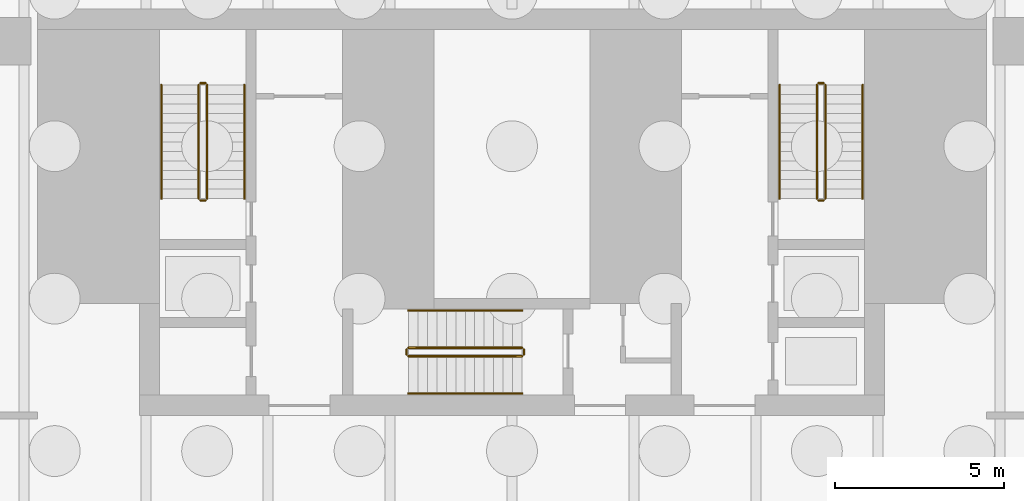
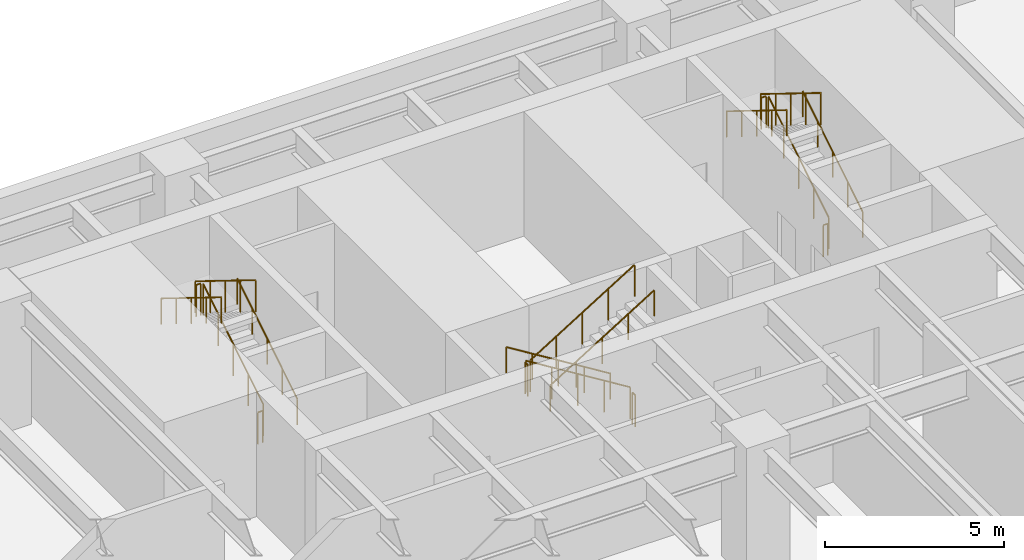
# One storey, part 17 of 18: 18 railings.
"""IFC4 building model written with IfcOpenShell, lengths in metres."""

from ifc_helpers import new_model, si_unit, direction, frame, origin, origin_2d, place, context, subcontext, project, spatial, circle, extrude, material, type_object, element, save


model = new_model("IFC4")

# Units and contexts
model_context = context("Model", 3, precision=1e-05, world=origin(), true_north=direction((0.0, 1.0)))
body_context = subcontext(model_context, "Body", "Model", "MODEL_VIEW")
ifc_project = project(units=[si_unit("LENGTHUNIT", "METRE"), si_unit("AREAUNIT", "SQUARE_METRE"), si_unit("VOLUMEUNIT", "CUBIC_METRE"), si_unit("PLANEANGLEUNIT", "RADIAN"), si_unit("MASSUNIT", "GRAM", prefix="KILO")], contexts=[model_context])

# Site, building, storey
site_placement = place(None, origin())
site = spatial("IfcSite", under=ifc_project, at=site_placement, CompositionType="ELEMENT")
building_placement = place(site_placement, origin())
building = spatial("IfcBuilding", under=site, at=building_placement, Name="Aloe Facet Convention Tower", CompositionType="ELEMENT")
storey_placement = place(building_placement, frame((0.0, 0.0, -9.0)))
storey = spatial("IfcBuildingStorey", under=building, at=storey_placement, Name="B2", CompositionType="ELEMENT", Elevation=-9.0)

# Railings
ifc_material_1 = material(Name="Steel S355 balustrade", Category="steel")
railing_type_1 = type_object("IfcRailingType", Name="CR-RL-GUARD", PredefinedType="GUARDRAIL", material=ifc_material_1)
railing_1_placement = place(storey_placement, frame((71.0, 128.949951171875, 0.173095703125)))
element("IfcRailing", 1, at=railing_1_placement, inside=storey, type_object=railing_type_1, Name="B2 ST1 stair guard 1", PredefinedType="GUARDRAIL", context=body_context, shape_type="SweptSolid", body=[
    extrude(circle(Radius=0.02392578125, at=origin_2d()), frame((0.0, 0.0, 1.076171875), z_axis=(0.0, 0.850623216509, 0.525775754039), x_axis=(-1.0, 0.0, 0.0)), (0.0, 0.0, 1.0), 3.9501953125),
    extrude(circle(Radius=0.02099609375, at=origin_2d()), origin(), (0.0, 0.0, 1.0), 1.052001953125),
    extrude(circle(Radius=0.02099609375, at=origin_2d()), frame((0.0, 0.840087890625, 0.519287109375)), (0.0, 0.0, 1.0), 1.052001953125),
    extrude(circle(Radius=0.02099609375, at=origin_2d()), frame((0.0, 1.68017578125, 1.03857421875)), (0.0, 0.0, 1.0), 1.052001953125),
    extrude(circle(Radius=0.02099609375, at=origin_2d()), frame((0.0, 2.52001953125, 1.5576171875)), (0.0, 0.0, 1.0), 1.052001953125),
    extrude(circle(Radius=0.02099609375, at=origin_2d()), frame((0.0, 3.360107421875, 2.076904296875)), (0.0, 0.0, 1.0), 1.052001953125),
])
railing_2_placement = place(storey_placement, frame((70.949951171875, 132.360107421875, 2.25)))
element("IfcRailing", 2, at=railing_2_placement, inside=storey, type_object=railing_type_1, Name="B2 ST1 stair guard 2", PredefinedType="GUARDRAIL", context=body_context, shape_type="SweptSolid", body=[
    extrude(circle(Radius=0.02392578125, at=origin_2d()), frame((0.0, 0.0, 1.076171875), z_axis=(-1.0, 0.0, 0.0), x_axis=(0.0, -1.0, 0.0)), (0.0, 0.0, 1.0), 0.14990234375),
    extrude(circle(Radius=0.02099609375, at=origin_2d()), origin(), (0.0, 0.0, 1.0), 1.052001953125),
    extrude(circle(Radius=0.02099609375, at=origin_2d()), frame((-0.14990234375, 0.0, 0.0)), (0.0, 0.0, 1.0), 1.052001953125),
])
railing_3_placement = place(storey_placement, frame((70.75, 132.31005859375, 2.423095703125)))
element("IfcRailing", 3, at=railing_3_placement, inside=storey, type_object=railing_type_1, Name="B2 ST1 stair guard 3", PredefinedType="GUARDRAIL", context=body_context, shape_type="SweptSolid", body=[
    extrude(circle(Radius=0.02392578125, at=origin_2d()), frame((0.0, 0.0, 1.076171875), z_axis=(0.0, -0.850623216509, 0.525775754039), x_axis=(1.0, 0.0, 0.0)), (0.0, 0.0, 1.0), 3.9501953125),
    extrude(circle(Radius=0.02099609375, at=origin_2d()), origin(), (0.0, 0.0, 1.0), 1.052001953125),
    extrude(circle(Radius=0.02099609375, at=origin_2d()), frame((0.0, -0.840087890625, 0.519287109375)), (0.0, 0.0, 1.0), 1.052001953125),
    extrude(circle(Radius=0.02099609375, at=origin_2d()), frame((0.0, -1.68017578125, 1.03857421875)), (0.0, 0.0, 1.0), 1.052001953125),
    extrude(circle(Radius=0.02099609375, at=origin_2d()), frame((0.0, -2.52001953125, 1.5576171875)), (0.0, 0.0, 1.0), 1.052001953125),
    extrude(circle(Radius=0.02099609375, at=origin_2d()), frame((0.0, -3.360107421875, 2.076904296875)), (0.0, 0.0, 1.0), 1.052001953125),
])
railing_4_placement = place(storey_placement, frame((70.949951171875, 128.89990234375, 0.0)))
element("IfcRailing", 4, at=railing_4_placement, inside=storey, type_object=railing_type_1, Name="B2 ST1 stair guard 4", PredefinedType="GUARDRAIL", context=body_context, shape_type="SweptSolid", body=[
    extrude(circle(Radius=0.02392578125, at=origin_2d()), frame((0.0, 0.0, 1.076171875), z_axis=(-1.0, 0.0, 0.0), x_axis=(0.0, -1.0, 0.0)), (0.0, 0.0, 1.0), 0.14990234375),
    extrude(circle(Radius=0.02099609375, at=origin_2d()), origin(), (0.0, 0.0, 1.0), 1.052001953125),
    extrude(circle(Radius=0.02099609375, at=origin_2d()), frame((-0.14990234375, 0.0, 0.0)), (0.0, 0.0, 1.0), 1.052001953125),
])
railing_5_placement = place(storey_placement, frame((89.25, 128.949951171875, 0.173095703125)))
element("IfcRailing", 5, at=railing_5_placement, inside=storey, type_object=railing_type_1, Name="B2 ST2 stair guard 1", PredefinedType="GUARDRAIL", context=body_context, shape_type="SweptSolid", body=[
    extrude(circle(Radius=0.02392578125, at=origin_2d()), frame((0.0, 0.0, 1.076171875), z_axis=(0.0, 0.850623216509, 0.525775754039), x_axis=(-1.0, 0.0, 0.0)), (0.0, 0.0, 1.0), 3.9501953125),
    extrude(circle(Radius=0.02099609375, at=origin_2d()), origin(), (0.0, 0.0, 1.0), 1.052001953125),
    extrude(circle(Radius=0.02099609375, at=origin_2d()), frame((0.0, 0.840087890625, 0.519287109375)), (0.0, 0.0, 1.0), 1.052001953125),
    extrude(circle(Radius=0.02099609375, at=origin_2d()), frame((0.0, 1.68017578125, 1.03857421875)), (0.0, 0.0, 1.0), 1.052001953125),
    extrude(circle(Radius=0.02099609375, at=origin_2d()), frame((0.0, 2.52001953125, 1.5576171875)), (0.0, 0.0, 1.0), 1.052001953125),
    extrude(circle(Radius=0.02099609375, at=origin_2d()), frame((0.0, 3.360107421875, 2.076904296875)), (0.0, 0.0, 1.0), 1.052001953125),
])
railing_6_placement = place(storey_placement, frame((89.199951171875, 132.360107421875, 2.25)))
element("IfcRailing", 6, at=railing_6_placement, inside=storey, type_object=railing_type_1, Name="B2 ST2 stair guard 2", PredefinedType="GUARDRAIL", context=body_context, shape_type="SweptSolid", body=[
    extrude(circle(Radius=0.02392578125, at=origin_2d()), frame((0.0, 0.0, 1.076171875), z_axis=(-1.0, 0.0, 0.0), x_axis=(0.0, -1.0, 0.0)), (0.0, 0.0, 1.0), 0.14990234375),
    extrude(circle(Radius=0.02099609375, at=origin_2d()), origin(), (0.0, 0.0, 1.0), 1.052001953125),
    extrude(circle(Radius=0.02099609375, at=origin_2d()), frame((-0.14990234375, 0.0, 0.0)), (0.0, 0.0, 1.0), 1.052001953125),
])
railing_7_placement = place(storey_placement, frame((89.0, 132.31005859375, 2.423095703125)))
element("IfcRailing", 7, at=railing_7_placement, inside=storey, type_object=railing_type_1, Name="B2 ST2 stair guard 3", PredefinedType="GUARDRAIL", context=body_context, shape_type="SweptSolid", body=[
    extrude(circle(Radius=0.02392578125, at=origin_2d()), frame((0.0, 0.0, 1.076171875), z_axis=(0.0, -0.850623216509, 0.525775754039), x_axis=(1.0, 0.0, 0.0)), (0.0, 0.0, 1.0), 3.9501953125),
    extrude(circle(Radius=0.02099609375, at=origin_2d()), origin(), (0.0, 0.0, 1.0), 1.052001953125),
    extrude(circle(Radius=0.02099609375, at=origin_2d()), frame((0.0, -0.840087890625, 0.519287109375)), (0.0, 0.0, 1.0), 1.052001953125),
    extrude(circle(Radius=0.02099609375, at=origin_2d()), frame((0.0, -1.68017578125, 1.03857421875)), (0.0, 0.0, 1.0), 1.052001953125),
    extrude(circle(Radius=0.02099609375, at=origin_2d()), frame((0.0, -2.52001953125, 1.5576171875)), (0.0, 0.0, 1.0), 1.052001953125),
    extrude(circle(Radius=0.02099609375, at=origin_2d()), frame((0.0, -3.360107421875, 2.076904296875)), (0.0, 0.0, 1.0), 1.052001953125),
])
railing_8_placement = place(storey_placement, frame((89.199951171875, 128.89990234375, 0.0)))
element("IfcRailing", 8, at=railing_8_placement, inside=storey, type_object=railing_type_1, Name="B2 ST2 stair guard 4", PredefinedType="GUARDRAIL", context=body_context, shape_type="SweptSolid", body=[
    extrude(circle(Radius=0.02392578125, at=origin_2d()), frame((0.0, 0.0, 1.076171875), z_axis=(-1.0, 0.0, 0.0), x_axis=(0.0, -1.0, 0.0)), (0.0, 0.0, 1.0), 0.14990234375),
    extrude(circle(Radius=0.02099609375, at=origin_2d()), origin(), (0.0, 0.0, 1.0), 1.052001953125),
    extrude(circle(Radius=0.02099609375, at=origin_2d()), frame((-0.14990234375, 0.0, 0.0)), (0.0, 0.0, 1.0), 1.052001953125),
])
railing_9_placement = place(storey_placement, frame((80.300048828125, 124.550048828125, 0.173095703125)))
element("IfcRailing", 9, at=railing_9_placement, inside=storey, type_object=railing_type_1, Name="B2 ST3 stair guard 1", PredefinedType="GUARDRAIL", context=body_context, shape_type="SweptSolid", body=[
    extrude(circle(Radius=0.02392578125, at=origin_2d()), frame((0.0, 0.0, 1.076171875), z_axis=(-0.850623216509, 0.0, 0.525775754039), x_axis=(0.0, -1.0, 0.0)), (0.0, 0.0, 1.0), 3.9501953125),
    extrude(circle(Radius=0.02099609375, at=origin_2d()), origin(), (0.0, 0.0, 1.0), 1.052001953125),
    extrude(circle(Radius=0.02099609375, at=origin_2d()), frame((-0.840087890625, 0.0, 0.519287109375)), (0.0, 0.0, 1.0), 1.052001953125),
    extrude(circle(Radius=0.02099609375, at=origin_2d()), frame((-1.68017578125, 0.0, 1.03857421875)), (0.0, 0.0, 1.0), 1.052001953125),
    extrude(circle(Radius=0.02099609375, at=origin_2d()), frame((-2.52001953125, 0.0, 1.5576171875)), (0.0, 0.0, 1.0), 1.052001953125),
    extrude(circle(Radius=0.02099609375, at=origin_2d()), frame((-3.360107421875, 0.0, 2.076904296875)), (0.0, 0.0, 1.0), 1.052001953125),
])
railing_10_placement = place(storey_placement, frame((76.889892578125, 124.5, 2.25)))
element("IfcRailing", 10, at=railing_10_placement, inside=storey, type_object=railing_type_1, Name="B2 ST3 stair guard 2", PredefinedType="GUARDRAIL", context=body_context, shape_type="SweptSolid", body=[
    extrude(circle(Radius=0.02392578125, at=origin_2d()), frame((0.0, 0.0, 1.076171875), z_axis=(0.0, -1.0, 0.0), x_axis=(1.0, 0.0, 0.0)), (0.0, 0.0, 1.0), 0.14990234375),
    extrude(circle(Radius=0.02099609375, at=origin_2d()), origin(), (0.0, 0.0, 1.0), 1.052001953125),
    extrude(circle(Radius=0.02099609375, at=origin_2d()), frame((0.0, -0.14990234375, 0.0)), (0.0, 0.0, 1.0), 1.052001953125),
])
railing_11_placement = place(storey_placement, frame((76.93994140625, 124.300048828125, 2.423095703125)))
element("IfcRailing", 11, at=railing_11_placement, inside=storey, type_object=railing_type_1, Name="B2 ST3 stair guard 3", PredefinedType="GUARDRAIL", context=body_context, shape_type="SweptSolid", body=[
    extrude(circle(Radius=0.02392578125, at=origin_2d()), frame((0.0, 0.0, 1.076171875), z_axis=(0.850623216509, 0.0, 0.525775754039), x_axis=(0.0, 1.0, 0.0)), (0.0, 0.0, 1.0), 3.9501953125),
    extrude(circle(Radius=0.02099609375, at=origin_2d()), origin(), (0.0, 0.0, 1.0), 1.052001953125),
    extrude(circle(Radius=0.02099609375, at=origin_2d()), frame((0.840087890625, 0.0, 0.519287109375)), (0.0, 0.0, 1.0), 1.052001953125),
    extrude(circle(Radius=0.02099609375, at=origin_2d()), frame((1.68017578125, 0.0, 1.03857421875)), (0.0, 0.0, 1.0), 1.052001953125),
    extrude(circle(Radius=0.02099609375, at=origin_2d()), frame((2.52001953125, 0.0, 1.5576171875)), (0.0, 0.0, 1.0), 1.052001953125),
    extrude(circle(Radius=0.02099609375, at=origin_2d()), frame((3.360107421875, 0.0, 2.076904296875)), (0.0, 0.0, 1.0), 1.052001953125),
])
railing_12_placement = place(storey_placement, frame((80.35009765625, 124.5, 0.0)))
element("IfcRailing", 12, at=railing_12_placement, inside=storey, type_object=railing_type_1, Name="B2 ST3 stair guard 4", PredefinedType="GUARDRAIL", context=body_context, shape_type="SweptSolid", body=[
    extrude(circle(Radius=0.02392578125, at=origin_2d()), frame((0.0, 0.0, 1.076171875), z_axis=(0.0, -1.0, 0.0), x_axis=(1.0, 0.0, 0.0)), (0.0, 0.0, 1.0), 0.14990234375),
    extrude(circle(Radius=0.02099609375, at=origin_2d()), origin(), (0.0, 0.0, 1.0), 1.052001953125),
    extrude(circle(Radius=0.02099609375, at=origin_2d()), frame((0.0, -0.14990234375, 0.0)), (0.0, 0.0, 1.0), 1.052001953125),
])
ifc_material_2 = material(Name="Steel S355 handrail", Category="steel")
railing_type_2 = type_object("IfcRailingType", Name="CR-RL-HAND", PredefinedType="HANDRAIL", material=ifc_material_2)
railing_13_placement = place(storey_placement, frame((72.10009765625, 128.949951171875, 0.173095703125)))
element("IfcRailing", 13, at=railing_13_placement, inside=storey, type_object=railing_type_2, Name="B2 ST1 stair handrail 1", PredefinedType="HANDRAIL", context=body_context, shape_type="SweptSolid", body=[
    extrude(circle(Radius=0.02392578125, at=origin_2d()), frame((0.0, 0.0, 0.8759765625), z_axis=(0.0, 0.850623216509, 0.525775754039), x_axis=(-1.0, 0.0, 0.0)), (0.0, 0.0, 1.0), 3.9501953125),
    extrude(circle(Radius=0.02099609375, at=origin_2d()), origin(), (0.0, 0.0, 1.0), 0.851806640625),
    extrude(circle(Radius=0.02099609375, at=origin_2d()), frame((0.0, 0.840087890625, 0.519287109375)), (0.0, 0.0, 1.0), 0.851806640625),
    extrude(circle(Radius=0.02099609375, at=origin_2d()), frame((0.0, 1.68017578125, 1.03857421875)), (0.0, 0.0, 1.0), 0.851806640625),
    extrude(circle(Radius=0.02099609375, at=origin_2d()), frame((0.0, 2.52001953125, 1.5576171875)), (0.0, 0.0, 1.0), 0.851806640625),
    extrude(circle(Radius=0.02099609375, at=origin_2d()), frame((0.0, 3.360107421875, 2.076904296875)), (0.0, 0.0, 1.0), 0.851806640625),
])
railing_14_placement = place(storey_placement, frame((69.64990234375, 132.31005859375, 2.423095703125)))
element("IfcRailing", 14, at=railing_14_placement, inside=storey, type_object=railing_type_2, Name="B2 ST1 stair handrail 2", PredefinedType="HANDRAIL", context=body_context, shape_type="SweptSolid", body=[
    extrude(circle(Radius=0.02392578125, at=origin_2d()), frame((0.0, 0.0, 0.8759765625), z_axis=(0.0, -0.850623216509, 0.525775754039), x_axis=(1.0, 0.0, 0.0)), (0.0, 0.0, 1.0), 3.9501953125),
    extrude(circle(Radius=0.02099609375, at=origin_2d()), origin(), (0.0, 0.0, 1.0), 0.851806640625),
    extrude(circle(Radius=0.02099609375, at=origin_2d()), frame((0.0, -0.840087890625, 0.519287109375)), (0.0, 0.0, 1.0), 0.851806640625),
    extrude(circle(Radius=0.02099609375, at=origin_2d()), frame((0.0, -1.68017578125, 1.03857421875)), (0.0, 0.0, 1.0), 0.851806640625),
    extrude(circle(Radius=0.02099609375, at=origin_2d()), frame((0.0, -2.52001953125, 1.5576171875)), (0.0, 0.0, 1.0), 0.851806640625),
    extrude(circle(Radius=0.02099609375, at=origin_2d()), frame((0.0, -3.360107421875, 2.076904296875)), (0.0, 0.0, 1.0), 0.851806640625),
])
railing_15_placement = place(storey_placement, frame((90.35009765625, 128.949951171875, 0.173095703125)))
element("IfcRailing", 15, at=railing_15_placement, inside=storey, type_object=railing_type_2, Name="B2 ST2 stair handrail 1", PredefinedType="HANDRAIL", context=body_context, shape_type="SweptSolid", body=[
    extrude(circle(Radius=0.02392578125, at=origin_2d()), frame((0.0, 0.0, 0.8759765625), z_axis=(0.0, 0.850623216509, 0.525775754039), x_axis=(-1.0, 0.0, 0.0)), (0.0, 0.0, 1.0), 3.9501953125),
    extrude(circle(Radius=0.02099609375, at=origin_2d()), origin(), (0.0, 0.0, 1.0), 0.851806640625),
    extrude(circle(Radius=0.02099609375, at=origin_2d()), frame((0.0, 0.840087890625, 0.519287109375)), (0.0, 0.0, 1.0), 0.851806640625),
    extrude(circle(Radius=0.02099609375, at=origin_2d()), frame((0.0, 1.68017578125, 1.03857421875)), (0.0, 0.0, 1.0), 0.851806640625),
    extrude(circle(Radius=0.02099609375, at=origin_2d()), frame((0.0, 2.52001953125, 1.5576171875)), (0.0, 0.0, 1.0), 0.851806640625),
    extrude(circle(Radius=0.02099609375, at=origin_2d()), frame((0.0, 3.360107421875, 2.076904296875)), (0.0, 0.0, 1.0), 0.851806640625),
])
railing_16_placement = place(storey_placement, frame((87.89990234375, 132.31005859375, 2.423095703125)))
element("IfcRailing", 16, at=railing_16_placement, inside=storey, type_object=railing_type_2, Name="B2 ST2 stair handrail 2", PredefinedType="HANDRAIL", context=body_context, shape_type="SweptSolid", body=[
    extrude(circle(Radius=0.02392578125, at=origin_2d()), frame((0.0, 0.0, 0.8759765625), z_axis=(0.0, -0.850623216509, 0.525775754039), x_axis=(1.0, 0.0, 0.0)), (0.0, 0.0, 1.0), 3.9501953125),
    extrude(circle(Radius=0.02099609375, at=origin_2d()), origin(), (0.0, 0.0, 1.0), 0.851806640625),
    extrude(circle(Radius=0.02099609375, at=origin_2d()), frame((0.0, -0.840087890625, 0.519287109375)), (0.0, 0.0, 1.0), 0.851806640625),
    extrude(circle(Radius=0.02099609375, at=origin_2d()), frame((0.0, -1.68017578125, 1.03857421875)), (0.0, 0.0, 1.0), 0.851806640625),
    extrude(circle(Radius=0.02099609375, at=origin_2d()), frame((0.0, -2.52001953125, 1.5576171875)), (0.0, 0.0, 1.0), 0.851806640625),
    extrude(circle(Radius=0.02099609375, at=origin_2d()), frame((0.0, -3.360107421875, 2.076904296875)), (0.0, 0.0, 1.0), 0.851806640625),
])
railing_17_placement = place(storey_placement, frame((80.300048828125, 125.64990234375, 0.173095703125)))
element("IfcRailing", 17, at=railing_17_placement, inside=storey, type_object=railing_type_2, Name="B2 ST3 stair handrail 1", PredefinedType="HANDRAIL", context=body_context, shape_type="SweptSolid", body=[
    extrude(circle(Radius=0.02392578125, at=origin_2d()), frame((0.0, 0.0, 0.8759765625), z_axis=(-0.850623216509, 0.0, 0.525775754039), x_axis=(0.0, -1.0, 0.0)), (0.0, 0.0, 1.0), 3.9501953125),
    extrude(circle(Radius=0.02099609375, at=origin_2d()), origin(), (0.0, 0.0, 1.0), 0.851806640625),
    extrude(circle(Radius=0.02099609375, at=origin_2d()), frame((-0.840087890625, 0.0, 0.519287109375)), (0.0, 0.0, 1.0), 0.851806640625),
    extrude(circle(Radius=0.02099609375, at=origin_2d()), frame((-1.68017578125, 0.0, 1.03857421875)), (0.0, 0.0, 1.0), 0.851806640625),
    extrude(circle(Radius=0.02099609375, at=origin_2d()), frame((-2.52001953125, 0.0, 1.5576171875)), (0.0, 0.0, 1.0), 0.851806640625),
    extrude(circle(Radius=0.02099609375, at=origin_2d()), frame((-3.360107421875, 0.0, 2.076904296875)), (0.0, 0.0, 1.0), 0.851806640625),
])
railing_18_placement = place(storey_placement, frame((76.93994140625, 123.199951171875, 2.423095703125)))
element("IfcRailing", 18, at=railing_18_placement, inside=storey, type_object=railing_type_2, Name="B2 ST3 stair handrail 2", PredefinedType="HANDRAIL", context=body_context, shape_type="SweptSolid", body=[
    extrude(circle(Radius=0.02392578125, at=origin_2d()), frame((0.0, 0.0, 0.8759765625), z_axis=(0.850623216509, 0.0, 0.525775754039), x_axis=(0.0, 1.0, 0.0)), (0.0, 0.0, 1.0), 3.9501953125),
    extrude(circle(Radius=0.02099609375, at=origin_2d()), origin(), (0.0, 0.0, 1.0), 0.851806640625),
    extrude(circle(Radius=0.02099609375, at=origin_2d()), frame((0.840087890625, 0.0, 0.519287109375)), (0.0, 0.0, 1.0), 0.851806640625),
    extrude(circle(Radius=0.02099609375, at=origin_2d()), frame((1.68017578125, 0.0, 1.03857421875)), (0.0, 0.0, 1.0), 0.851806640625),
    extrude(circle(Radius=0.02099609375, at=origin_2d()), frame((2.52001953125, 0.0, 1.5576171875)), (0.0, 0.0, 1.0), 0.851806640625),
    extrude(circle(Radius=0.02099609375, at=origin_2d()), frame((3.360107421875, 0.0, 2.076904296875)), (0.0, 0.0, 1.0), 0.851806640625),
])

save(model, "model.ifc")
